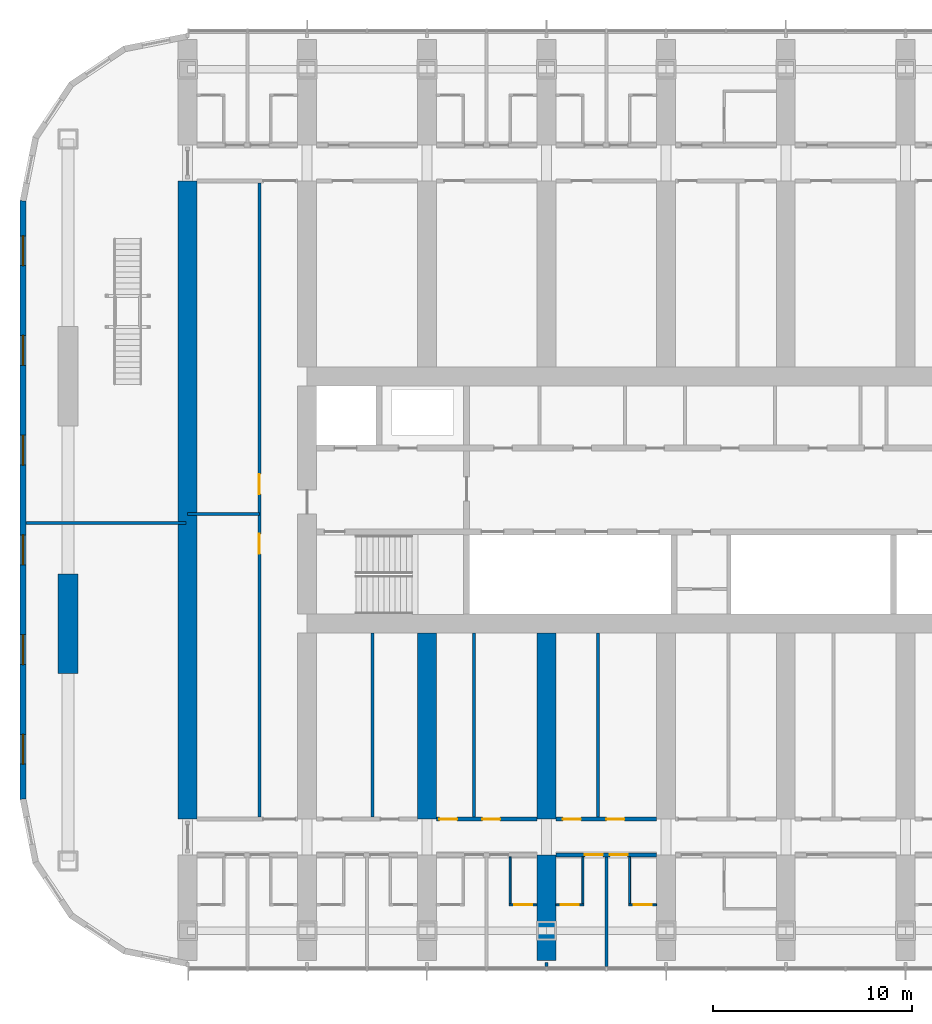
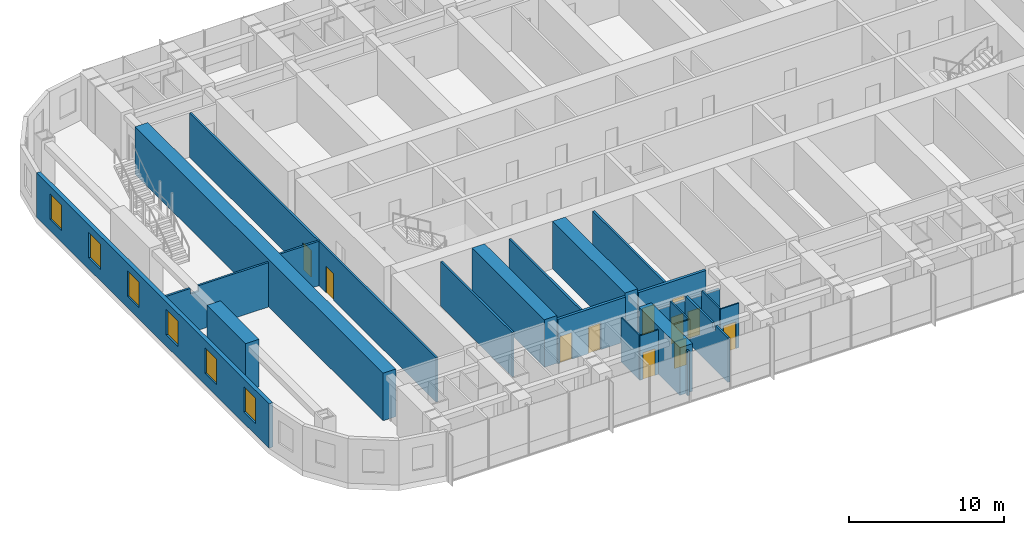
# One storey, part 11 of 25: 23 walls, 11 doors, 6 windows, 17 openings.
"""IFC4 building model written with IfcOpenShell, lengths in metres."""

from ifc_helpers import new_model, si_unit, direction, frame, frame_2d, origin, place, context, subcontext, project, spatial, polyline, rectangle, outline, extrude, material, layer, layer_set, type_object, element, fill, save


model = new_model("IFC4")

# Units and contexts
model_context = context("Model", 3, precision=1e-05, world=origin(), true_north=direction((0.0, 1.0)))
body_context = subcontext(model_context, "Body", "Model", "MODEL_VIEW")
ifc_project = project(units=[si_unit("LENGTHUNIT", "METRE"), si_unit("AREAUNIT", "SQUARE_METRE"), si_unit("VOLUMEUNIT", "CUBIC_METRE"), si_unit("PLANEANGLEUNIT", "RADIAN"), si_unit("MASSUNIT", "GRAM", prefix="KILO")], contexts=[model_context])

# Site, building, storey
site_placement = place(None, origin())
site = spatial("IfcSite", under=ifc_project, at=site_placement, CompositionType="ELEMENT")
building_placement = place(site_placement, origin())
building = spatial("IfcBuilding", under=site, at=building_placement, Name="Orbita Commons", CompositionType="ELEMENT")
storey_placement = place(building_placement, frame((0.0, 0.0, 84.39990234375)))
storey = spatial("IfcBuildingStorey", under=building, at=storey_placement, Name="L20", CompositionType="ELEMENT", Elevation=84.39990234375)

# Wall, openings, doors
ifc_material_1 = material(Name="Concrete blockwork", Category="masonry")
ifc_layer_1 = layer(ifc_material_1, 0.199951171875)
ifc_layer_set_1 = layer_set([ifc_layer_1], Name="Concrete blockwork")
wall_type_1 = type_object("IfcWallType", Name="Corridor wall 200 blockwork", PredefinedType="SOLIDWALL", material=ifc_layer_set_1)
wall_1_placement = place(storey_placement, frame((30.47509765625, 14.199951171875, 0.0), z_axis=(0.0, 0.0, 1.0), x_axis=(1.0, 0.0, 0.0)))
wall_1 = element("IfcWall", 1, at=wall_1_placement, inside=storey, type_object=wall_type_1, Name="Corridor wall 200 blockwork L20", PredefinedType="SOLIDWALL", context=body_context, shape_type="SweptSolid", body=[
    extrude(outline(polyline([(0.0, 0.0), (5.0498046875, 0.0), (5.050048828125, 3.10009765625), (0.0, 3.10009765625), (0.0, 0.0)])), frame((0.0, 0.10009765625, 0.0), z_axis=(0.0, -1.0, 0.0), x_axis=(1.0, 0.0, 0.0)), (0.0, 0.0, 1.0), 0.199951171875),
])
opening_1_placement = place(wall_1_placement, frame((1.449951171875, 0.0, 0.0)))
opening_1 = element("IfcOpeningElement", 2, at=opening_1_placement, cuts=wall_1, Name="Opening D11", PredefinedType="OPENING", context=body_context, shape_type="SweptSolid", body=[
    extrude(rectangle(XDim=0.89990234375, YDim=2.10009765625, at=frame_2d((0.449951171875, 1.050048828125))), frame((0.0, 0.10986328125, 0.0), z_axis=(0.0, -1.0, 0.0), x_axis=(1.0, 0.0, 0.0)), (0.0, 0.0, 1.0), 0.219970703125),
])
opening_2_placement = place(wall_1_placement, frame((2.699951171875, 0.0, 0.0)))
opening_2 = element("IfcOpeningElement", 3, at=opening_2_placement, cuts=wall_1, Name="Opening D11", PredefinedType="OPENING", context=body_context, shape_type="SweptSolid", body=[
    extrude(rectangle(XDim=0.89990234375, YDim=2.10009765625, at=frame_2d((0.449951171875, 1.050048828125))), frame((0.0, 0.10986328125, 0.0), z_axis=(0.0, -1.0, 0.0), x_axis=(1.0, 0.0, 0.0)), (0.0, 0.0, 1.0), 0.219970703125),
])
ifc_material_2 = material(Name="Steel-faced fire door leaf", Category="steel")
door_type_1 = type_object("IfcDoorType", Name="Corridor door 20 min 900x2100", OperationType="SINGLE_SWING_LEFT", PredefinedType="DOOR", material=ifc_material_2)
door_1_placement = place(opening_1_placement, origin())
door_1 = element("IfcDoor", 4, at=door_1_placement, inside=storey, type_object=door_type_1, Name="Cluster bedroom L20-S06 door", OperationType="SINGLE_SWING_LEFT", OverallHeight=2.10009765625, OverallWidth=0.89990234375, PredefinedType="DOOR", context=body_context, shape_type="SweptSolid", body=[
    extrude(rectangle(XDim=0.89990234375, YDim=2.10009765625, at=frame_2d((0.449951171875, 1.050048828125))), frame((0.0, 0.02490234375, 0.0), z_axis=(0.0, -1.0, 0.0), x_axis=(1.0, 0.0, 0.0)), (0.0, 0.0, 1.0), 0.050048828125),
])
fill(opening_1, door_1)
door_2_placement = place(opening_2_placement, origin())
door_2 = element("IfcDoor", 5, at=door_2_placement, inside=storey, type_object=door_type_1, Name="Cluster bedroom L20-S07 door", OperationType="SINGLE_SWING_LEFT", OverallHeight=2.10009765625, OverallWidth=0.89990234375, PredefinedType="DOOR", context=body_context, shape_type="SweptSolid", body=[
    extrude(rectangle(XDim=0.89990234375, YDim=2.10009765625, at=frame_2d((0.449951171875, 1.050048828125))), frame((0.0, 0.02490234375, 0.0), z_axis=(0.0, -1.0, 0.0), x_axis=(1.0, 0.0, 0.0)), (0.0, 0.0, 1.0), 0.050048828125),
])
fill(opening_2, door_2)

ifc_material_3 = material(Name="Hollow concrete block 200", Category="concrete")
ifc_layer_2 = layer(ifc_material_3, 0.199951171875)
ifc_layer_set_2 = layer_set([ifc_layer_2], Name="Hollow concrete block 200")
wall_type_2 = type_object("IfcWallType", Name="Corridor wall 200 hollow concrete block", PredefinedType="SOLIDWALL", material=ifc_layer_set_2)
wall_2_placement = place(storey_placement, frame((24.47509765625, 16.0, 0.0), z_axis=(0.0, 0.0, 1.0), x_axis=(1.0, 0.0, 0.0)))
wall_2 = element("IfcWall", 6, at=wall_2_placement, inside=storey, type_object=wall_type_2, Name="Corridor wall 200 hollow concrete block L20", PredefinedType="SOLIDWALL", context=body_context, shape_type="SweptSolid", body=[
    extrude(rectangle(XDim=5.0498046875, YDim=0.199951171875, at=frame_2d((2.52490234375, 0.0))), origin(), (0.0, 0.0, 1.0), 3.5),
])
opening_3_placement = place(wall_2_placement, frame((0.14990234375, 0.0, 0.0)))
opening_3 = element("IfcOpeningElement", 7, at=opening_3_placement, cuts=wall_2, Name="Opening D11", PredefinedType="OPENING", context=body_context, shape_type="SweptSolid", body=[
    extrude(rectangle(XDim=0.89990234375, YDim=2.10009765625, at=frame_2d((0.449951171875, 1.050048828125))), frame((0.0, 0.10986328125, 0.0), z_axis=(0.0, -1.0, 0.0), x_axis=(1.0, 0.0, 0.0)), (0.0, 0.0, 1.0), 0.219970703125),
])
opening_4_placement = place(wall_2_placement, frame((2.304931640625, 0.0, 0.0)))
opening_4 = element("IfcOpeningElement", 8, at=opening_4_placement, cuts=wall_2, Name="Opening D11", PredefinedType="OPENING", context=body_context, shape_type="SweptSolid", body=[
    extrude(rectangle(XDim=0.89990234375, YDim=2.10009765625, at=frame_2d((0.449951171875, 1.050048828125))), frame((0.0, 0.10986328125, 0.0), z_axis=(0.0, -1.0, 0.0), x_axis=(1.0, 0.0, 0.0)), (0.0, 0.0, 1.0), 0.219970703125),
])
door_3_placement = place(opening_3_placement, origin())
door_3 = element("IfcDoor", 9, at=door_3_placement, inside=storey, type_object=door_type_1, Name="Water heater cupboard L20-BDS24n door", OperationType="SINGLE_SWING_LEFT", OverallHeight=2.10009765625, OverallWidth=0.89990234375, PredefinedType="DOOR", context=body_context, shape_type="SweptSolid", body=[
    extrude(rectangle(XDim=0.89990234375, YDim=2.10009765625, at=frame_2d((0.449951171875, 1.050048828125))), frame((0.0, 0.02490234375, 0.0), z_axis=(0.0, -1.0, 0.0), x_axis=(1.0, 0.0, 0.0)), (0.0, 0.0, 1.0), 0.050048828125),
])
fill(opening_3, door_3)
door_4_placement = place(opening_4_placement, origin())
door_4 = element("IfcDoor", 10, at=door_4_placement, inside=storey, type_object=door_type_1, Name="Media room L20-BDS24 door", OperationType="SINGLE_SWING_LEFT", OverallHeight=2.10009765625, OverallWidth=0.89990234375, PredefinedType="DOOR", context=body_context, shape_type="SweptSolid", body=[
    extrude(rectangle(XDim=0.89990234375, YDim=2.10009765625, at=frame_2d((0.449951171875, 1.050048828125))), frame((0.0, 0.02490234375, 0.0), z_axis=(0.0, -1.0, 0.0), x_axis=(1.0, 0.0, 0.0)), (0.0, 0.0, 1.0), 0.050048828125),
])
fill(opening_4, door_4)

wall_3_placement = place(storey_placement, frame((30.47509765625, 16.0, 0.0), z_axis=(0.0, 0.0, 1.0), x_axis=(1.0, 0.0, 0.0)))
wall_3 = element("IfcWall", 11, at=wall_3_placement, inside=storey, type_object=wall_type_2, Name="Corridor wall 200 hollow concrete block L20", PredefinedType="SOLIDWALL", context=body_context, shape_type="SweptSolid", body=[
    extrude(rectangle(XDim=5.0498046875, YDim=0.199951171875, at=frame_2d((2.52490234375, 0.0))), origin(), (0.0, 0.0, 1.0), 3.5),
])
opening_5_placement = place(wall_3_placement, frame((0.35009765625, 0.0, 0.0)))
opening_5 = element("IfcOpeningElement", 12, at=opening_5_placement, cuts=wall_3, Name="Opening D11", PredefinedType="OPENING", context=body_context, shape_type="SweptSolid", body=[
    extrude(rectangle(XDim=0.89990234375, YDim=2.10009765625, at=frame_2d((0.449951171875, 1.050048828125))), frame((0.0, 0.10986328125, 0.0), z_axis=(0.0, -1.0, 0.0), x_axis=(1.0, 0.0, 0.0)), (0.0, 0.0, 1.0), 0.219970703125),
])
opening_6_placement = place(wall_3_placement, frame((2.534912109375, 0.0, 0.0)))
opening_6 = element("IfcOpeningElement", 13, at=opening_6_placement, cuts=wall_3, Name="Opening D11", PredefinedType="OPENING", context=body_context, shape_type="SweptSolid", body=[
    extrude(rectangle(XDim=0.89990234375, YDim=2.10009765625, at=frame_2d((0.449951171875, 1.050048828125))), frame((0.0, 0.10986328125, 0.0), z_axis=(0.0, -1.0, 0.0), x_axis=(1.0, 0.0, 0.0)), (0.0, 0.0, 1.0), 0.219970703125),
])
door_5_placement = place(opening_5_placement, origin())
door_5 = element("IfcDoor", 14, at=door_5_placement, inside=storey, type_object=door_type_1, Name="Equipment store L20-BDS30n door", OperationType="SINGLE_SWING_LEFT", OverallHeight=2.10009765625, OverallWidth=0.89990234375, PredefinedType="DOOR", context=body_context, shape_type="SweptSolid", body=[
    extrude(rectangle(XDim=0.89990234375, YDim=2.10009765625, at=frame_2d((0.449951171875, 1.050048828125))), frame((0.0, 0.02490234375, 0.0), z_axis=(0.0, -1.0, 0.0), x_axis=(1.0, 0.0, 0.0)), (0.0, 0.0, 1.0), 0.050048828125),
])
fill(opening_5, door_5)
door_6_placement = place(opening_6_placement, origin())
door_6 = element("IfcDoor", 15, at=door_6_placement, inside=storey, type_object=door_type_1, Name="Recording room L20-BDS30 door", OperationType="SINGLE_SWING_LEFT", OverallHeight=2.10009765625, OverallWidth=0.89990234375, PredefinedType="DOOR", context=body_context, shape_type="SweptSolid", body=[
    extrude(rectangle(XDim=0.89990234375, YDim=2.10009765625, at=frame_2d((0.449951171875, 1.050048828125))), frame((0.0, 0.02490234375, 0.0), z_axis=(0.0, -1.0, 0.0), x_axis=(1.0, 0.0, 0.0)), (0.0, 0.0, 1.0), 0.050048828125),
])
fill(opening_6, door_6)

# Walls
ifc_material_4 = material(Name="Concrete C50/60", Category="concrete")
ifc_layer_3 = layer(ifc_material_4, 0.949951171875)
ifc_layer_set_3 = layer_set([ifc_layer_3], Name="Concrete C50/60")
wall_type_3 = type_object("IfcWallType", Name="Cross wall 950 C50/60", PredefinedType="SHEAR", material=ifc_layer_set_3)
wall_4_placement = place(storey_placement, frame((12.0, 16.0, 0.0), z_axis=(0.0, 0.0, 1.0), x_axis=(0.0, 1.0, 0.0)))
element("IfcWall", 16, at=wall_4_placement, inside=storey, type_object=wall_type_3, Name="Cross wall 3 inner L20", PredefinedType="SHEAR", context=body_context, shape_type="SweptSolid", body=[
    extrude(rectangle(XDim=32.0, YDim=0.949951171875, at=frame_2d((16.0, 0.0))), origin(), (0.0, 0.0, 1.0), 3.75),
])
wall_5_placement = place(storey_placement, frame((24.0, 16.0, 0.0), z_axis=(0.0, 0.0, 1.0), x_axis=(0.0, 1.0, 0.0)))
element("IfcWall", 17, at=wall_5_placement, inside=storey, type_object=wall_type_3, Name="Cross wall 5 south inner L20", PredefinedType="SHEAR", context=body_context, shape_type="SweptSolid", body=[
    extrude(rectangle(XDim=9.324951171875, YDim=0.949951171875, at=frame_2d((4.66259765625, 0.0))), origin(), (0.0, 0.0, 1.0), 3.75),
])
wall_6_placement = place(storey_placement, frame((30.0, 8.89990234375, 0.0), z_axis=(0.0, 0.0, 1.0), x_axis=(0.0, 1.0, 0.0)))
element("IfcWall", 18, at=wall_6_placement, inside=storey, type_object=wall_type_3, Name="Cross wall 6 south outer L20", PredefinedType="SHEAR", context=body_context, shape_type="SweptSolid", body=[
    extrude(rectangle(XDim=5.300048828125, YDim=0.949951171875, at=frame_2d((2.64990234375, 0.0))), origin(), (0.0, 0.0, 1.0), 3.75),
])
wall_7_placement = place(storey_placement, frame((30.0, 16.0, 0.0), z_axis=(0.0, 0.0, 1.0), x_axis=(0.0, 1.0, 0.0)))
element("IfcWall", 19, at=wall_7_placement, inside=storey, type_object=wall_type_3, Name="Cross wall 6 south inner L20", PredefinedType="SHEAR", context=body_context, shape_type="SweptSolid", body=[
    extrude(rectangle(XDim=9.324951171875, YDim=0.949951171875, at=frame_2d((4.66259765625, 0.0))), origin(), (0.0, 0.0, 1.0), 3.75),
])

# Wall, opening, door
ifc_material_5 = material(Name="Moisture-resistant plasterboard on steel studs", Category="steel")
ifc_layer_4 = layer(ifc_material_5, 0.10009765625)
ifc_layer_set_4 = layer_set([ifc_layer_4], Name="Moisture-resistant plasterboard on steel studs")
wall_type_4 = type_object("IfcWallType", Name="En-suite partition 100", PredefinedType="PARTITIONING", material=ifc_layer_set_4)
wall_8_placement = place(storey_placement, frame((29.52490234375, 11.699951171875, 0.0), z_axis=(0.0, 0.0, 1.0), x_axis=(-1.0, 0.0, 0.0)))
wall_8 = element("IfcWall", 20, at=wall_8_placement, inside=storey, type_object=wall_type_4, Name="En-suite partition 100 L20", PredefinedType="PARTITIONING", context=body_context, shape_type="SweptSolid", body=[
    extrude(rectangle(XDim=1.39990234375, YDim=0.10009765625, at=frame_2d((0.699951171875, 0.0))), origin(), (0.0, 0.0, 1.0), 3.5),
])
opening_7_placement = place(wall_8_placement, frame((0.25, 0.0, 0.0)))
opening_7 = element("IfcOpeningElement", 21, at=opening_7_placement, cuts=wall_8, Name="Opening D09", PredefinedType="OPENING", context=body_context, shape_type="SweptSolid", body=[
    extrude(rectangle(XDim=0.89990234375, YDim=2.10009765625, at=frame_2d((0.449951171875, 1.050048828125))), frame((0.0, 0.06005859375, 0.0), z_axis=(0.0, -1.0, 0.0), x_axis=(1.0, 0.0, 0.0)), (0.0, 0.0, 1.0), 0.1201171875),
])
ifc_material_6 = material(Name="Laminated timber door leaf", Category="wood")
door_type_2 = type_object("IfcDoorType", Name="En-suite door 900x2100", OperationType="SINGLE_SWING_RIGHT", PredefinedType="DOOR", material=ifc_material_6)
door_7_placement = place(opening_7_placement, origin())
door_7 = element("IfcDoor", 22, at=door_7_placement, inside=storey, type_object=door_type_2, Name="En-suite L20-S05 door", OperationType="SINGLE_SWING_RIGHT", OverallHeight=2.10009765625, OverallWidth=0.89990234375, PredefinedType="DOOR", context=body_context, shape_type="SweptSolid", body=[
    extrude(rectangle(XDim=0.89990234375, YDim=2.10009765625, at=frame_2d((0.449951171875, 1.050048828125))), frame((0.0, 0.02490234375, 0.0), z_axis=(0.0, -1.0, 0.0), x_axis=(1.0, 0.0, 0.0)), (0.0, 0.0, 1.0), 0.050048828125),
])
fill(opening_7, door_7)

# Wall
wall_9_placement = place(storey_placement, frame((28.175048828125, 11.75, 0.0), z_axis=(0.0, 0.0, 1.0), x_axis=(0.0, 1.0, 0.0)))
element("IfcWall", 23, at=wall_9_placement, inside=storey, type_object=wall_type_4, Name="En-suite partition 100 L20", PredefinedType="PARTITIONING", context=body_context, shape_type="SweptSolid", body=[
    extrude(outline(polyline([(0.0, 0.0), (2.35009765625, 0.0), (2.35009765625, 3.10009765625), (2.302001953125, 3.10009765625), (2.300048828125, 3.5), (0.0, 3.5), (0.0, 0.0)])), frame((0.0, 0.050048828125, 0.0), z_axis=(0.0, -1.0, 0.0), x_axis=(1.0, 0.0, 0.0)), (0.0, 0.0, 1.0), 0.10009765625),
])

# Wall, opening, door
wall_10_placement = place(storey_placement, frame((31.875, 11.699951171875, 0.0), z_axis=(0.0, 0.0, 1.0), x_axis=(-1.0, 0.0, 0.0)))
wall_10 = element("IfcWall", 24, at=wall_10_placement, inside=storey, type_object=wall_type_4, Name="En-suite partition 100 L20", PredefinedType="PARTITIONING", context=body_context, shape_type="SweptSolid", body=[
    extrude(rectangle(XDim=1.39990234375, YDim=0.10009765625, at=frame_2d((0.699951171875, 0.0))), origin(), (0.0, 0.0, 1.0), 3.5),
])
opening_8_placement = place(wall_10_placement, frame((0.25, 0.0, 0.0)))
opening_8 = element("IfcOpeningElement", 25, at=opening_8_placement, cuts=wall_10, Name="Opening D09", PredefinedType="OPENING", context=body_context, shape_type="SweptSolid", body=[
    extrude(rectangle(XDim=0.89990234375, YDim=2.10009765625, at=frame_2d((0.449951171875, 1.050048828125))), frame((0.0, 0.06005859375, 0.0), z_axis=(0.0, -1.0, 0.0), x_axis=(1.0, 0.0, 0.0)), (0.0, 0.0, 1.0), 0.1201171875),
])
door_8_placement = place(opening_8_placement, origin())
door_8 = element("IfcDoor", 26, at=door_8_placement, inside=storey, type_object=door_type_2, Name="En-suite L20-S06 door", OperationType="SINGLE_SWING_RIGHT", OverallHeight=2.10009765625, OverallWidth=0.89990234375, PredefinedType="DOOR", context=body_context, shape_type="SweptSolid", body=[
    extrude(rectangle(XDim=0.89990234375, YDim=2.10009765625, at=frame_2d((0.449951171875, 1.050048828125))), frame((0.0, 0.02490234375, 0.0), z_axis=(0.0, -1.0, 0.0), x_axis=(1.0, 0.0, 0.0)), (0.0, 0.0, 1.0), 0.050048828125),
])
fill(opening_8, door_8)

# Wall
wall_11_placement = place(storey_placement, frame((31.824951171875, 11.75, 0.0), z_axis=(0.0, 0.0, 1.0), x_axis=(0.0, 1.0, 0.0)))
element("IfcWall", 27, at=wall_11_placement, inside=storey, type_object=wall_type_4, Name="En-suite partition 100 L20", PredefinedType="PARTITIONING", context=body_context, shape_type="SweptSolid", body=[
    extrude(outline(polyline([(0.0, 0.0), (2.35009765625, 0.0), (2.35009765625, 3.10009765625), (2.302001953125, 3.10009765625), (2.300048828125, 3.5), (0.0, 3.5), (0.0, 0.0)])), frame((0.0, 0.050048828125, 0.0), z_axis=(0.0, -1.0, 0.0), x_axis=(1.0, 0.0, 0.0)), (0.0, 0.0, 1.0), 0.10009765625),
])

# Wall, opening, door
wall_12_placement = place(storey_placement, frame((35.52490234375, 11.699951171875, 0.0), z_axis=(0.0, 0.0, 1.0), x_axis=(-1.0, 0.0, 0.0)))
wall_12 = element("IfcWall", 28, at=wall_12_placement, inside=storey, type_object=wall_type_4, Name="En-suite partition 100 L20", PredefinedType="PARTITIONING", context=body_context, shape_type="SweptSolid", body=[
    extrude(rectangle(XDim=1.39990234375, YDim=0.10009765625, at=frame_2d((0.699951171875, 0.0))), origin(), (0.0, 0.0, 1.0), 3.5),
])
opening_9_placement = place(wall_12_placement, frame((0.25, 0.0, 0.0)))
opening_9 = element("IfcOpeningElement", 29, at=opening_9_placement, cuts=wall_12, Name="Opening D09", PredefinedType="OPENING", context=body_context, shape_type="SweptSolid", body=[
    extrude(rectangle(XDim=0.89990234375, YDim=2.10009765625, at=frame_2d((0.449951171875, 1.050048828125))), frame((0.0, 0.06005859375, 0.0), z_axis=(0.0, -1.0, 0.0), x_axis=(1.0, 0.0, 0.0)), (0.0, 0.0, 1.0), 0.1201171875),
])
door_9_placement = place(opening_9_placement, origin())
door_9 = element("IfcDoor", 30, at=door_9_placement, inside=storey, type_object=door_type_2, Name="En-suite L20-S07 door", OperationType="SINGLE_SWING_RIGHT", OverallHeight=2.10009765625, OverallWidth=0.89990234375, PredefinedType="DOOR", context=body_context, shape_type="SweptSolid", body=[
    extrude(rectangle(XDim=0.89990234375, YDim=2.10009765625, at=frame_2d((0.449951171875, 1.050048828125))), frame((0.0, 0.02490234375, 0.0), z_axis=(0.0, -1.0, 0.0), x_axis=(1.0, 0.0, 0.0)), (0.0, 0.0, 1.0), 0.050048828125),
])
fill(opening_9, door_9)

# Walls
wall_13_placement = place(storey_placement, frame((34.175048828125, 11.75, 0.0), z_axis=(0.0, 0.0, 1.0), x_axis=(0.0, 1.0, 0.0)))
element("IfcWall", 31, at=wall_13_placement, inside=storey, type_object=wall_type_4, Name="En-suite partition 100 L20", PredefinedType="PARTITIONING", context=body_context, shape_type="SweptSolid", body=[
    extrude(outline(polyline([(0.0, 0.0), (2.35009765625, 0.0), (2.35009765625, 3.10009765625), (2.302001953125, 3.10009765625), (2.300048828125, 3.5), (0.0, 3.5), (0.0, 0.0)])), frame((0.0, 0.050048828125, 0.0), z_axis=(0.0, -1.0, 0.0), x_axis=(1.0, 0.0, 0.0)), (0.0, 0.0, 1.0), 0.10009765625),
])
ifc_material_7 = material(Name="Concrete C50/60", Category="concrete")
ifc_layer_5 = layer(ifc_material_7, 1.0)
ifc_layer_set_5 = layer_set([ifc_layer_5], Name="Concrete C50/60")
wall_type_5 = type_object("IfcWallType", Name="End pier 1000x5000 C50/60", PredefinedType="SHEAR", material=ifc_layer_set_5)
wall_14_placement = place(storey_placement, frame((6.0, 23.300048828125, 0.0), z_axis=(0.0, 0.0, 1.0), x_axis=(0.0, 1.0, 0.0)))
element("IfcWall", 32, at=wall_14_placement, inside=storey, type_object=wall_type_5, Name="End pier 2/C L20", PredefinedType="SHEAR", context=body_context, shape_type="SweptSolid", body=[
    extrude(rectangle(XDim=5.0, YDim=1.0, at=frame_2d((2.5, 0.0))), origin(), (0.0, 0.0, 1.0), 3.75),
])
ifc_material_8 = material(Name="Gypsum plasterboard on steel studs", Category="steel")
ifc_layer_6 = layer(ifc_material_8, 0.14990234375)
ifc_layer_set_6 = layer_set([ifc_layer_6], Name="Gypsum plasterboard on steel studs")
wall_type_6 = type_object("IfcWallType", Name="Partition 150 plasterboard", PredefinedType="PARTITIONING", material=ifc_layer_set_6)
for number, where, z_axis, x_axis, name in (
    (33, (21.264892578125, 16.10009765625, 0.0), (0.0, 0.0, 1.0), (0.0, 1.0, 0.0), "Partition 150 plasterboard L20"),
    (34, (26.35498046875, 16.10009765625, 0.0), (0.0, 0.0, 1.0), (0.0, 1.0, 0.0), "Partition 150 plasterboard L20"),
    (35, (32.5849609375, 16.10009765625, 0.0), (0.0, 0.0, 1.0), (0.0, 1.0, 0.0), "Partition 150 plasterboard L20"),
):
    element("IfcWall", number, at=place(storey_placement, frame(where, z_axis=z_axis, x_axis=x_axis)), inside=storey, type_object=wall_type_6, Name=name, PredefinedType="PARTITIONING", context=body_context, shape_type="SweptSolid", body=[
        extrude(rectangle(XDim=9.224853515625, YDim=0.14990234375, at=frame_2d((4.6123046875, 0.0))), origin(), (0.0, 0.0, 1.0), 3.5),
    ])

# Wall, openings, doors
wall_15_placement = place(storey_placement, frame((15.60009765625, 16.10009765625, 0.0), z_axis=(0.0, 0.0, 1.0), x_axis=(0.0, 1.0, 0.0)))
wall_15 = element("IfcWall", 36, at=wall_15_placement, inside=storey, type_object=wall_type_6, Name="Partition 150 plasterboard L20", PredefinedType="PARTITIONING", context=body_context, shape_type="SweptSolid", body=[
    extrude(rectangle(XDim=31.7998046875, YDim=0.14990234375, at=frame_2d((15.89990234375, 0.0))), origin(), (0.0, 0.0, 1.0), 3.5),
])
opening_10_placement = place(wall_15_placement, frame((13.199951171875, 0.0, 0.0)))
opening_10 = element("IfcOpeningElement", 37, at=opening_10_placement, cuts=wall_15, Name="Opening D06", PredefinedType="OPENING", context=body_context, shape_type="SweptSolid", body=[
    extrude(rectangle(XDim=1.0, YDim=2.10009765625, at=frame_2d((0.5, 1.050048828125))), frame((0.0, 0.0849609375, 0.0), z_axis=(0.0, -1.0, 0.0), x_axis=(1.0, 0.0, 0.0)), (0.0, 0.0, 1.0), 0.169921875),
])
opening_11_placement = place(wall_15_placement, frame((16.199951171875, 0.0, 0.0)))
opening_11 = element("IfcOpeningElement", 38, at=opening_11_placement, cuts=wall_15, Name="Opening D06", PredefinedType="OPENING", context=body_context, shape_type="SweptSolid", body=[
    extrude(rectangle(XDim=1.0, YDim=2.10009765625, at=frame_2d((0.5, 1.050048828125))), frame((0.0, 0.0849609375, 0.0), z_axis=(0.0, -1.0, 0.0), x_axis=(1.0, 0.0, 0.0)), (0.0, 0.0, 1.0), 0.169921875),
])
ifc_material_9 = material(Name="Steel-faced fire door leaf", Category="steel")
door_type_3 = type_object("IfcDoorType", Name="Corridor door 20 min 1000x2100", OperationType="SINGLE_SWING_LEFT", PredefinedType="DOOR", material=ifc_material_9)
door_10_placement = place(opening_10_placement, origin())
door_10 = element("IfcDoor", 39, at=door_10_placement, inside=storey, type_object=door_type_3, Name="Quiet room door", OperationType="SINGLE_SWING_LEFT", OverallHeight=2.10009765625, OverallWidth=1.0, PredefinedType="DOOR", context=body_context, shape_type="SweptSolid", body=[
    extrude(rectangle(XDim=1.0, YDim=2.10009765625, at=frame_2d((0.5, 1.050048828125))), frame((0.0, 0.02490234375, 0.0), z_axis=(0.0, -1.0, 0.0), x_axis=(1.0, 0.0, 0.0)), (0.0, 0.0, 1.0), 0.050048828125),
])
fill(opening_10, door_10)
door_11_placement = place(opening_11_placement, origin())
door_11 = element("IfcDoor", 40, at=door_11_placement, inside=storey, type_object=door_type_3, Name="Prayer room door", OperationType="SINGLE_SWING_LEFT", OverallHeight=2.10009765625, OverallWidth=1.0, PredefinedType="DOOR", context=body_context, shape_type="SweptSolid", body=[
    extrude(rectangle(XDim=1.0, YDim=2.10009765625, at=frame_2d((0.5, 1.050048828125))), frame((0.0, 0.02490234375, 0.0), z_axis=(0.0, -1.0, 0.0), x_axis=(1.0, 0.0, 0.0)), (0.0, 0.0, 1.0), 0.050048828125),
])
fill(opening_11, door_11)

# Walls
wall_16_placement = place(storey_placement, frame((12.0, 31.300048828125, 0.0), z_axis=(0.0, 0.0, 1.0), x_axis=(1.0, 0.0, 0.0)))
element("IfcWall", 41, at=wall_16_placement, inside=storey, type_object=wall_type_6, Name="Partition 150 plasterboard L20", PredefinedType="PARTITIONING", context=body_context, shape_type="SweptSolid", body=[
    extrude(rectangle(XDim=3.60009765625, YDim=0.14990234375, at=frame_2d((1.800048828125, 0.0))), origin(), (0.0, 0.0, 1.0), 3.5),
])
wall_17_placement = place(storey_placement, frame((3.905029296875, 30.85009765625, 0.0), z_axis=(0.0, 0.0, 1.0), x_axis=(1.0, 0.0, 0.0)))
element("IfcWall", 42, at=wall_17_placement, inside=storey, type_object=wall_type_6, Name="Partition 150 plasterboard L20", PredefinedType="PARTITIONING", context=body_context, shape_type="SweptSolid", body=[
    extrude(outline(polyline([(0.0, 0.0), (8.02001953125, 0.0), (8.02001953125, 3.5), (2.39697265625, 3.5), (2.39501953125, 3.050048828125), (1.797119140625, 3.050048828125), (1.794921875, 3.5), (0.0, 3.5), (0.0, 0.0)])), frame((0.0, 0.074951171875, 0.0), z_axis=(0.0, -1.0, 0.0), x_axis=(1.0, 0.0, 0.0)), (0.0, 0.0, 1.0), 0.14990234375),
])
wall_18_placement = place(storey_placement, frame((30.0, 8.800048828125, 0.0), z_axis=(0.0, 0.0, 1.0), x_axis=(0.0, -1.0, 0.0)))
element("IfcWall", 43, at=wall_18_placement, inside=storey, type_object=wall_type_6, Name="Partition 150 plasterboard L20", PredefinedType="PARTITIONING", context=body_context, shape_type="SweptSolid", body=[
    extrude(rectangle(XDim=0.18994140625, YDim=0.14990234375, at=frame_2d((0.094970703125, 0.0))), origin(), (0.0, 0.0, 1.0), 3.5),
])
ifc_material_10 = material(Name="Gypsum plasterboard on steel studs", Category="steel")
ifc_layer_7 = layer(ifc_material_10, 0.14990234375)
ifc_layer_set_7 = layer_set([ifc_layer_7], Name="Gypsum plasterboard on steel studs")
wall_type_7 = type_object("IfcWallType", Name="Party wall 150 plasterboard", PredefinedType="PARTITIONING", material=ifc_layer_set_7)
wall_19_placement = place(storey_placement, frame((33.0, 8.610107421875, 0.0), z_axis=(0.0, 0.0, 1.0), x_axis=(0.0, 1.0, 0.0)))
element("IfcWall", 44, at=wall_19_placement, inside=storey, type_object=wall_type_7, Name="Party wall 150 plasterboard L20", PredefinedType="PARTITIONING", context=body_context, shape_type="SweptSolid", body=[
    extrude(outline(polyline([(0.0, 0.0), (5.489990234375, 0.0), (5.489990234375, 3.10009765625), (5.44189453125, 3.10009765625), (5.43994140625, 3.5), (1.991943359375, 3.5), (1.989990234375, 3.10009765625), (1.592041015625, 3.10009765625), (1.590087890625, 3.5), (0.0, 3.5), (0.0, 0.0)])), frame((0.0, 0.074951171875, 0.0), z_axis=(0.0, -1.0, 0.0), x_axis=(1.0, 0.0, 0.0)), (0.0, 0.0, 1.0), 0.14990234375),
])

# Wall, openings, windows
ifc_material_11 = material(Name="Precast concrete C40/50, white board-marked finish", Category="concrete")
ifc_layer_8 = layer(ifc_material_11, 0.300048828125)
ifc_layer_set_8 = layer_set([ifc_layer_8], Name="Precast concrete C40/50, white board-marked finish")
wall_type_8 = type_object("IfcWallType", Name="Precast concrete end shield 300", PredefinedType="SOLIDWALL", material=ifc_layer_set_8)
wall_20_placement = place(storey_placement, frame((3.75, 47.0, 0.0), z_axis=(0.0, 0.0, 1.0), x_axis=(0.0, -1.0, 0.0)))
wall_20 = element("IfcWall", 45, at=wall_20_placement, inside=storey, type_object=wall_type_8, Name="End shield W L20", PredefinedType="SOLIDWALL", context=body_context, shape_type="SweptSolid", body=[
    extrude(outline(polyline([(-0.014892578125, -0.14990234375), (30.014892578125, -0.14990234375), (29.985107421875, 0.14990234375), (0.014892578125, 0.14990234375), (-0.014892578125, -0.14990234375)])), origin(), (0.0, 0.0, 1.0), 3.5),
])
opening_12_placement = place(wall_20_placement, frame((1.75, 0.0, 0.89990234375)))
opening_12 = element("IfcOpeningElement", 46, at=opening_12_placement, cuts=wall_20, Name="Opening W01", PredefinedType="OPENING", context=body_context, shape_type="SweptSolid", body=[
    extrude(rectangle(XDim=1.5, YDim=2.0, at=frame_2d((0.75, 1.0))), frame((0.0, 0.159912109375, 0.0), z_axis=(0.0, -1.0, 0.0), x_axis=(1.0, 0.0, 0.0)), (0.0, 0.0, 1.0), 0.320068359375),
])
opening_13_placement = place(wall_20_placement, frame((6.75, 0.0, 0.89990234375)))
opening_13 = element("IfcOpeningElement", 47, at=opening_13_placement, cuts=wall_20, Name="Opening W01", PredefinedType="OPENING", context=body_context, shape_type="SweptSolid", body=[
    extrude(rectangle(XDim=1.5, YDim=2.0, at=frame_2d((0.75, 1.0))), frame((0.0, 0.159912109375, 0.0), z_axis=(0.0, -1.0, 0.0), x_axis=(1.0, 0.0, 0.0)), (0.0, 0.0, 1.0), 0.320068359375),
])
opening_14_placement = place(wall_20_placement, frame((11.75, 0.0, 0.89990234375)))
opening_14 = element("IfcOpeningElement", 48, at=opening_14_placement, cuts=wall_20, Name="Opening W01", PredefinedType="OPENING", context=body_context, shape_type="SweptSolid", body=[
    extrude(rectangle(XDim=1.5, YDim=2.0, at=frame_2d((0.75, 1.0))), frame((0.0, 0.159912109375, 0.0), z_axis=(0.0, -1.0, 0.0), x_axis=(1.0, 0.0, 0.0)), (0.0, 0.0, 1.0), 0.320068359375),
])
opening_15_placement = place(wall_20_placement, frame((16.75, 0.0, 0.89990234375)))
opening_15 = element("IfcOpeningElement", 49, at=opening_15_placement, cuts=wall_20, Name="Opening W01", PredefinedType="OPENING", context=body_context, shape_type="SweptSolid", body=[
    extrude(rectangle(XDim=1.5, YDim=2.0, at=frame_2d((0.75, 1.0))), frame((0.0, 0.159912109375, 0.0), z_axis=(0.0, -1.0, 0.0), x_axis=(1.0, 0.0, 0.0)), (0.0, 0.0, 1.0), 0.320068359375),
])
opening_16_placement = place(wall_20_placement, frame((21.75, 0.0, 0.89990234375)))
opening_16 = element("IfcOpeningElement", 50, at=opening_16_placement, cuts=wall_20, Name="Opening W01", PredefinedType="OPENING", context=body_context, shape_type="SweptSolid", body=[
    extrude(rectangle(XDim=1.5, YDim=2.0, at=frame_2d((0.75, 1.0))), frame((0.0, 0.159912109375, 0.0), z_axis=(0.0, -1.0, 0.0), x_axis=(1.0, 0.0, 0.0)), (0.0, 0.0, 1.0), 0.320068359375),
])
opening_17_placement = place(wall_20_placement, frame((26.75, 0.0, 0.89990234375)))
opening_17 = element("IfcOpeningElement", 51, at=opening_17_placement, cuts=wall_20, Name="Opening W01", PredefinedType="OPENING", context=body_context, shape_type="SweptSolid", body=[
    extrude(rectangle(XDim=1.5, YDim=2.0, at=frame_2d((0.75, 1.0))), frame((0.0, 0.159912109375, 0.0), z_axis=(0.0, -1.0, 0.0), x_axis=(1.0, 0.0, 0.0)), (0.0, 0.0, 1.0), 0.320068359375),
])
ifc_material_12 = material(Name="Aluminium frame, clear double glazing", Category="aluminium")
window_type = type_object("IfcWindowType", Name="Deep-set window 1500x2000", PartitioningType="SINGLE_PANEL", PredefinedType="WINDOW", material=ifc_material_12)
window_1_placement = place(opening_12_placement, origin())
window_1 = element("IfcWindow", 52, at=window_1_placement, inside=storey, type_object=window_type, Name="Window L20-W 1", OverallHeight=2.0, OverallWidth=1.5, PartitioningType="SINGLE_PANEL", PredefinedType="WINDOW", context=body_context, shape_type="SweptSolid", body=[
    extrude(rectangle(XDim=1.5, YDim=2.0, at=frame_2d((0.75, 1.0))), frame((0.0, 0.030029296875, 0.0), z_axis=(0.0, -1.0, 0.0), x_axis=(1.0, 0.0, 0.0)), (0.0, 0.0, 1.0), 0.06005859375),
])
fill(opening_12, window_1)
window_2_placement = place(opening_13_placement, origin())
window_2 = element("IfcWindow", 53, at=window_2_placement, inside=storey, type_object=window_type, Name="Window L20-W 2", OverallHeight=2.0, OverallWidth=1.5, PartitioningType="SINGLE_PANEL", PredefinedType="WINDOW", context=body_context, shape_type="SweptSolid", body=[
    extrude(rectangle(XDim=1.5, YDim=2.0, at=frame_2d((0.75, 1.0))), frame((0.0, 0.030029296875, 0.0), z_axis=(0.0, -1.0, 0.0), x_axis=(1.0, 0.0, 0.0)), (0.0, 0.0, 1.0), 0.06005859375),
])
fill(opening_13, window_2)
window_3_placement = place(opening_14_placement, origin())
window_3 = element("IfcWindow", 54, at=window_3_placement, inside=storey, type_object=window_type, Name="Window L20-W 3", OverallHeight=2.0, OverallWidth=1.5, PartitioningType="SINGLE_PANEL", PredefinedType="WINDOW", context=body_context, shape_type="SweptSolid", body=[
    extrude(rectangle(XDim=1.5, YDim=2.0, at=frame_2d((0.75, 1.0))), frame((0.0, 0.030029296875, 0.0), z_axis=(0.0, -1.0, 0.0), x_axis=(1.0, 0.0, 0.0)), (0.0, 0.0, 1.0), 0.06005859375),
])
fill(opening_14, window_3)
window_4_placement = place(opening_15_placement, origin())
window_4 = element("IfcWindow", 55, at=window_4_placement, inside=storey, type_object=window_type, Name="Window L20-W 4", OverallHeight=2.0, OverallWidth=1.5, PartitioningType="SINGLE_PANEL", PredefinedType="WINDOW", context=body_context, shape_type="SweptSolid", body=[
    extrude(rectangle(XDim=1.5, YDim=2.0, at=frame_2d((0.75, 1.0))), frame((0.0, 0.030029296875, 0.0), z_axis=(0.0, -1.0, 0.0), x_axis=(1.0, 0.0, 0.0)), (0.0, 0.0, 1.0), 0.06005859375),
])
fill(opening_15, window_4)
window_5_placement = place(opening_16_placement, origin())
window_5 = element("IfcWindow", 56, at=window_5_placement, inside=storey, type_object=window_type, Name="Window L20-W 5", OverallHeight=2.0, OverallWidth=1.5, PartitioningType="SINGLE_PANEL", PredefinedType="WINDOW", context=body_context, shape_type="SweptSolid", body=[
    extrude(rectangle(XDim=1.5, YDim=2.0, at=frame_2d((0.75, 1.0))), frame((0.0, 0.030029296875, 0.0), z_axis=(0.0, -1.0, 0.0), x_axis=(1.0, 0.0, 0.0)), (0.0, 0.0, 1.0), 0.06005859375),
])
fill(opening_16, window_5)
window_6_placement = place(opening_17_placement, origin())
window_6 = element("IfcWindow", 57, at=window_6_placement, inside=storey, type_object=window_type, Name="Window L20-W 6", OverallHeight=2.0, OverallWidth=1.5, PartitioningType="SINGLE_PANEL", PredefinedType="WINDOW", context=body_context, shape_type="SweptSolid", body=[
    extrude(rectangle(XDim=1.5, YDim=2.0, at=frame_2d((0.75, 1.0))), frame((0.0, 0.030029296875, 0.0), z_axis=(0.0, -1.0, 0.0), x_axis=(1.0, 0.0, 0.0)), (0.0, 0.0, 1.0), 0.06005859375),
])
fill(opening_17, window_6)

save(model, "model.ifc")
